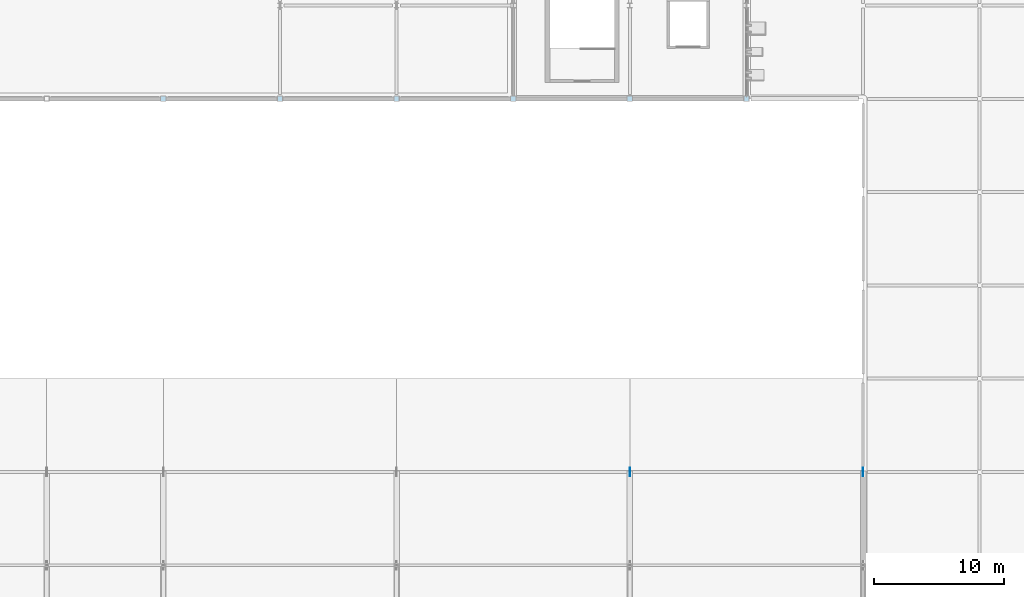
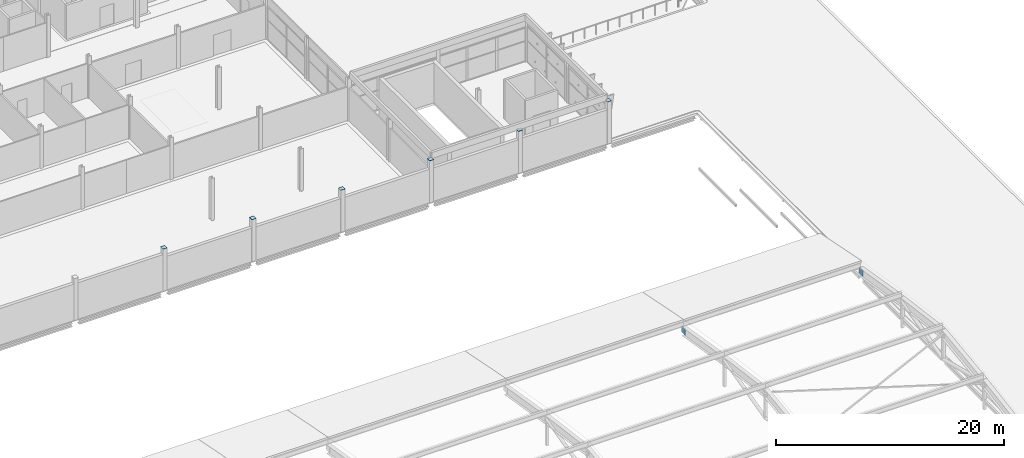
# One storey, part 62 of 78: 8 plates.
"""IFC4 building model written with IfcOpenShell, lengths in metres."""

from ifc_helpers import new_model, si_unit, direction, frame, origin, origin_2d, place, context, subcontext, project, spatial, rectangle, extrude, material, layer, layer_set, type_object, element, save


model = new_model("IFC4")

# Units and contexts
model_context = context("Model", 3, precision=1e-05, world=origin(), true_north=direction((0.0, 1.0)))
body_context = subcontext(model_context, "Body", "Model", "MODEL_VIEW")
ifc_project = project(units=[si_unit("LENGTHUNIT", "METRE"), si_unit("AREAUNIT", "SQUARE_METRE"), si_unit("VOLUMEUNIT", "CUBIC_METRE"), si_unit("PLANEANGLEUNIT", "RADIAN"), si_unit("MASSUNIT", "GRAM", prefix="KILO")], contexts=[model_context])

# Site, building, storey
site_placement = place(None, origin())
site = spatial("IfcSite", under=ifc_project, at=site_placement, CompositionType="ELEMENT")
building_placement = place(site_placement, origin())
building = spatial("IfcBuilding", under=site, at=building_placement, Name="Celestram Park Convention Centre", CompositionType="ELEMENT")
storey_placement = place(building_placement, frame((0.0, 0.0, 19.800048828125)))
storey = spatial("IfcBuildingStorey", under=building, at=storey_placement, Name="L04", CompositionType="ELEMENT", Elevation=19.800048828125)

# Plates
ifc_material = material(Name="Steel ASTM A572 Grade 50", Category="steel")
ifc_layer_1 = layer(ifc_material, 0.02490234375)
ifc_layer_set_1 = layer_set([ifc_layer_1], Name="Steel ASTM A572 Grade 50")
plate_type_1 = type_object("IfcPlateType", Name="STR-PLT-EC400", PredefinedType="USERDEFINED", material=ifc_layer_set_1)
for number, where, z_axis, x_axis, name in (
    (1, (72.0, 108.0, 4.49951171875), (0.0, 0.0, 1.0), (1.0, 0.0, 0.0), "HSS column end closure cap plate EC-L04-018"),
    (2, (81.0, 108.0, 4.49951171875), (0.0, 0.0, 1.0), (1.0, 0.0, 0.0), "HSS column end closure cap plate EC-L04-028"),
    (3, (90.0, 108.0, 4.49951171875), (0.0, 0.0, 1.0), (1.0, 0.0, 0.0), "HSS column end closure cap plate EC-L04-037"),
    (4, (99.0, 108.0, 4.49951171875), (0.0, 0.0, 1.0), (1.0, 0.0, 0.0), "HSS column end closure cap plate EC-L04-046"),
    (5, (108.0, 108.0, 4.49951171875), (0.0, 0.0, 1.0), (1.0, 0.0, 0.0), "HSS column end closure cap plate EC-L04-061"),
    (6, (117.0, 108.0, 4.49951171875), (0.0, 0.0, 1.0), (1.0, 0.0, 0.0), "HSS column end closure cap plate EC-L04-070"),
):
    element("IfcPlate", number, at=place(storey_placement, frame(where, z_axis=z_axis, x_axis=x_axis)), inside=storey, type_object=plate_type_1, Name=name, ObjectType="GUSSET_PLATE", PredefinedType="USERDEFINED", context=body_context, shape_type="SweptSolid", body=[
        extrude(rectangle(XDim=0.429931640625, YDim=0.429931640625, at=origin_2d()), origin(), (0.0, 0.0, 1.0), 0.02490234375),
    ])
ifc_layer_2 = layer(ifc_material, 0.050048828125)
ifc_layer_set_2 = layer_set([ifc_layer_2], Name="Steel ASTM A572 Grade 50")
plate_type_2 = type_object("IfcPlateType", Name="STR-PLT-GP50", PredefinedType="USERDEFINED", material=ifc_layer_set_2)
for number, where, z_axis, x_axis, name in (
    (7, (108.0, 79.199951171875, 0.15673828125), (0.0, 0.0, 1.0), (0.0, 1.0, 0.0), "V1 truss node gusset plate"),
    (8, (126.0, 79.199951171875, 0.15673828125), (0.0, 0.0, 1.0), (0.0, 1.0, 0.0), "V1 truss node gusset plate"),
):
    element("IfcPlate", number, at=place(storey_placement, frame(where, z_axis=z_axis, x_axis=x_axis)), inside=storey, type_object=plate_type_2, Name=name, ObjectType="GUSSET_PLATE", PredefinedType="USERDEFINED", context=body_context, shape_type="SweptSolid", body=[
        extrude(rectangle(XDim=0.64990234375, YDim=0.050048828125, at=origin_2d()), origin(), (0.0, 0.0, 1.0), 0.64990234375),
    ])

save(model, "model.ifc")
